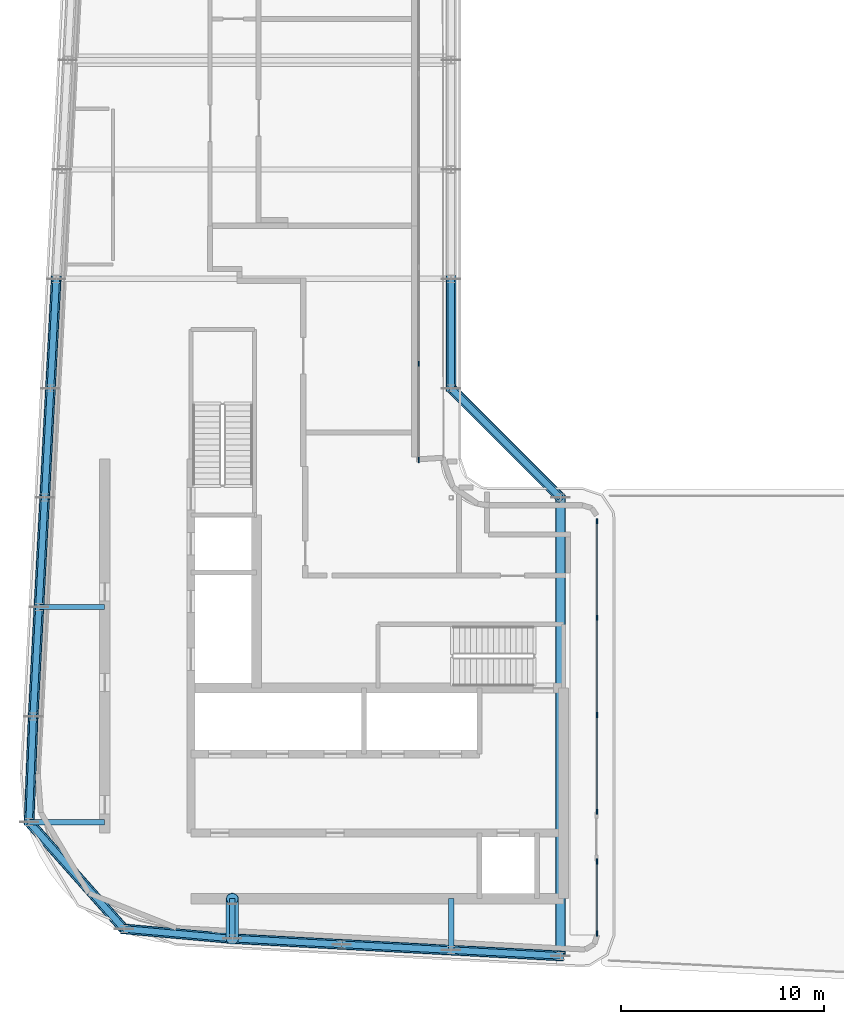
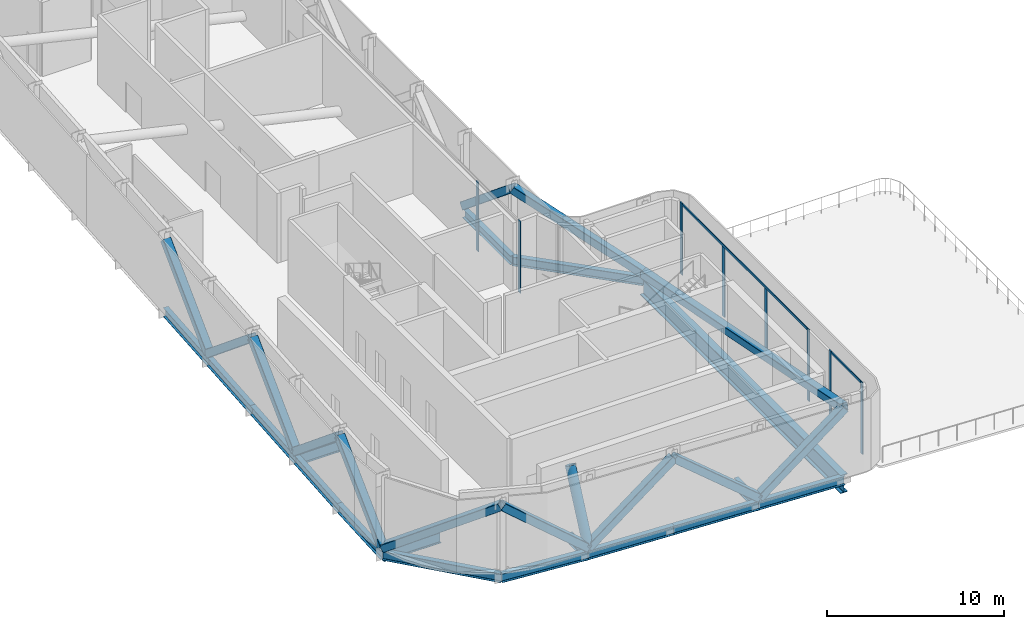
# One storey, part 4 of 18: 24 members, 17 beams, 3 elements without a shape of their own.
"""IFC4 building model written with IfcOpenShell, lengths in metres."""

from ifc_helpers import new_model, si_unit, direction, frame, origin, origin_2d, place, context, subcontext, project, spatial, rectangle, hollow_rectangle, hollow_circle, i_section, extrude, material, layer, layer_set, material_profile, profile_set, type_object, element, aggregate, save


model = new_model("IFC4")

# Units and contexts
model_context = context("Model", 3, precision=1e-05, world=origin(), true_north=direction((0.0, 1.0)))
body_context = subcontext(model_context, "Body", "Model", "MODEL_VIEW")
ifc_project = project(units=[si_unit("LENGTHUNIT", "METRE"), si_unit("AREAUNIT", "SQUARE_METRE"), si_unit("VOLUMEUNIT", "CUBIC_METRE"), si_unit("PLANEANGLEUNIT", "RADIAN"), si_unit("MASSUNIT", "GRAM", prefix="KILO")], contexts=[model_context])

# Site, building, storey
site_placement = place(None, origin())
site = spatial("IfcSite", under=ifc_project, at=site_placement, CompositionType="ELEMENT")
building_placement = place(site_placement, origin())
building = spatial("IfcBuilding", under=site, at=building_placement, Name="Kheshtan School and Residences Tower", CompositionType="ELEMENT")
storey_placement = place(building_placement, frame((0.0, 0.0, 333.199951171875)))
storey = spatial("IfcBuildingStorey", under=building, at=storey_placement, Name="L78", CompositionType="ELEMENT", Elevation=333.199951171875)

# Beams
ifc_material_1 = material(Name="Steel ASTM A992 Grade 50", Category="steel")
ifc_material_profile_1 = material_profile(ifc_material_1, i_section(OverallWidth=0.264892578125, OverallDepth=0.7529296875, WebThickness=0.01318359375, FlangeThickness=0.01708984375, FilletRadius=0.015380859375, at=origin_2d()), Name="W760x147")
ifc_profile_set_1 = profile_set([ifc_material_profile_1], Name="Steel ASTM A992 Grade 50")
beam_type_1 = type_object("IfcBeamType", Name="Beam FB7 W760x147 ASTM A992 Grade 50", PredefinedType="BEAM", material=ifc_profile_set_1)
beam_1_placement = place(storey_placement, frame((47.60009765625, 23.263916015625, -0.5263671875), z_axis=(0.0, 1.0, 0.0), x_axis=(-1.0, 0.0, 0.0)))
element("IfcBeam", 1, at=beam_1_placement, inside=storey, type_object=beam_type_1, Name="Floor beam C020", PredefinedType="BEAM", context=body_context, shape_type="SweptSolid", body=[
    extrude(i_section(OverallWidth=0.264892578125, OverallDepth=0.7529296875, WebThickness=0.01318359375, FlangeThickness=0.01708984375, FilletRadius=0.015380859375, at=origin_2d()), origin(), (0.0, 0.0, 1.0), 2.5361328125),
])
beam_2_placement = place(storey_placement, frame((36.800048828125, 23.83203125, -0.5263671875), z_axis=(0.0, 1.0, 0.0), x_axis=(-1.0, 0.0, 0.0)))
element("IfcBeam", 2, at=beam_2_placement, inside=storey, type_object=beam_type_1, Name="Floor beam C022", PredefinedType="BEAM", context=body_context, shape_type="SweptSolid", body=[
    extrude(i_section(OverallWidth=0.264892578125, OverallDepth=0.7529296875, WebThickness=0.01318359375, FlangeThickness=0.01708984375, FilletRadius=0.015380859375, at=origin_2d()), origin(), (0.0, 0.0, 1.0), 1.968017578125),
])
beam_3_placement = place(storey_placement, frame((26.76708984375, 29.58203125, -0.5263671875), z_axis=(1.0, 0.0, 0.0), x_axis=(0.0, 1.0, 0.0)))
element("IfcBeam", 3, at=beam_3_placement, inside=storey, type_object=beam_type_1, Name="Floor beam C048", PredefinedType="BEAM", context=body_context, shape_type="SweptSolid", body=[
    extrude(i_section(OverallWidth=0.264892578125, OverallDepth=0.7529296875, WebThickness=0.01318359375, FlangeThickness=0.01708984375, FilletRadius=0.015380859375, at=origin_2d()), origin(), (0.0, 0.0, 1.0), 3.73291015625),
])
beam_4_placement = place(storey_placement, frame((27.2529296875, 40.199951171875, -0.5263671875), z_axis=(1.0, 0.0, 0.0), x_axis=(0.0, 1.0, 0.0)))
element("IfcBeam", 4, at=beam_4_placement, inside=storey, type_object=beam_type_1, Name="Floor beam C056", PredefinedType="BEAM", context=body_context, shape_type="SweptSolid", body=[
    extrude(i_section(OverallWidth=0.264892578125, OverallDepth=0.7529296875, WebThickness=0.01318359375, FlangeThickness=0.01708984375, FilletRadius=0.015380859375, at=origin_2d()), origin(), (0.0, 0.0, 1.0), 3.2470703125),
])
ifc_material_profile_2 = material_profile(ifc_material_1, i_section(OverallWidth=0.324951171875, OverallDepth=0.615966796875, WebThickness=0.013916015625, FlangeThickness=0.021484375, FilletRadius=0.0185546875, at=origin_2d()), Name="W610x174")
ifc_profile_set_2 = profile_set([ifc_material_profile_2], Name="Steel ASTM A992 Grade 50")
beam_type_2 = type_object("IfcBeamType", Name="Beam SP5 W610x174 ASTM A992 Grade 50", PredefinedType="BEAM", material=ifc_profile_set_2)
beam_5_placement = place(storey_placement, frame((47.60009765625, 56.39990234375, -0.4580078125), z_axis=(0.0, -1.0, 0.0), x_axis=(1.0, 0.0, 0.0)))
element("IfcBeam", 5, at=beam_5_placement, inside=storey, type_object=beam_type_2, Name="Spandrel beam C081-C079", PredefinedType="BEAM", context=body_context, shape_type="SweptSolid", body=[
    extrude(i_section(OverallWidth=0.324951171875, OverallDepth=0.615966796875, WebThickness=0.013916015625, FlangeThickness=0.021484375, FilletRadius=0.0185546875, at=origin_2d()), origin(), (0.0, 0.0, 1.0), 5.39990234375),
])
beam_6_placement = place(storey_placement, frame((47.60009765625, 51.0, -0.4580078125), z_axis=(0.707106781187, -0.707106781187, 0.0), x_axis=(0.707106781187, 0.707106781187, 0.0)))
element("IfcBeam", 6, at=beam_6_placement, inside=storey, type_object=beam_type_2, Name="Spandrel beam C079-C061", PredefinedType="BEAM", context=body_context, shape_type="SweptSolid", body=[
    extrude(i_section(OverallWidth=0.324951171875, OverallDepth=0.615966796875, WebThickness=0.013916015625, FlangeThickness=0.021484375, FilletRadius=0.0185546875, at=origin_2d()), origin(), (0.0, 0.0, 1.0), 7.63671875),
])
beam_7_placement = place(storey_placement, frame((53.0, 22.97998046875, -0.4580078125), z_axis=(-0.998620447272, 0.05250906864, 0.0), x_axis=(-0.05250906864, -0.998620447272, 0.0)))
element("IfcBeam", 7, at=beam_7_placement, inside=storey, type_object=beam_type_2, Name="Spandrel beam C019-C020", PredefinedType="BEAM", context=body_context, shape_type="SweptSolid", body=[
    extrude(i_section(OverallWidth=0.324951171875, OverallDepth=0.615966796875, WebThickness=0.013916015625, FlangeThickness=0.021484375, FilletRadius=0.0185546875, at=origin_2d()), origin(), (0.0, 0.0, 1.0), 5.407470703125),
])
beam_8_placement = place(storey_placement, frame((47.60009765625, 23.263916015625, -0.4580078125), z_axis=(-0.998618203458, 0.052551724256, 0.0), x_axis=(-0.052551724256, -0.998618203458, 0.0)))
element("IfcBeam", 8, at=beam_8_placement, inside=storey, type_object=beam_type_2, Name="Spandrel beam C020-C021", PredefinedType="BEAM", context=body_context, shape_type="SweptSolid", body=[
    extrude(i_section(OverallWidth=0.324951171875, OverallDepth=0.615966796875, WebThickness=0.013916015625, FlangeThickness=0.021484375, FilletRadius=0.0185546875, at=origin_2d()), origin(), (0.0, 0.0, 1.0), 5.40771484375),
])
beam_9_placement = place(storey_placement, frame((42.199951171875, 23.548095703125, -0.4580078125), z_axis=(-0.998620447272, 0.05250906864, 0.0), x_axis=(-0.05250906864, -0.998620447272, 0.0)))
element("IfcBeam", 9, at=beam_9_placement, inside=storey, type_object=beam_type_2, Name="Spandrel beam C021-C022", PredefinedType="BEAM", context=body_context, shape_type="SweptSolid", body=[
    extrude(i_section(OverallWidth=0.324951171875, OverallDepth=0.615966796875, WebThickness=0.013916015625, FlangeThickness=0.021484375, FilletRadius=0.0185546875, at=origin_2d()), origin(), (0.0, 0.0, 1.0), 5.407470703125),
])
beam_10_placement = place(storey_placement, frame((36.800048828125, 23.83203125, -0.4580078125), z_axis=(-0.996036411806, 0.088946424077, 0.0), x_axis=(-0.088946424077, -0.996036411806, 0.0)))
element("IfcBeam", 10, at=beam_10_placement, inside=storey, type_object=beam_type_2, Name="Spandrel beam C022-C034", PredefinedType="BEAM", context=body_context, shape_type="SweptSolid", body=[
    extrude(i_section(OverallWidth=0.324951171875, OverallDepth=0.615966796875, WebThickness=0.013916015625, FlangeThickness=0.021484375, FilletRadius=0.0185546875, at=origin_2d()), origin(), (0.0, 0.0, 1.0), 5.374267578125),
])
beam_11_placement = place(storey_placement, frame((31.447021484375, 24.31005859375, -0.4580078125), z_axis=(-0.663867136248, 0.747850536812, 0.0), x_axis=(-0.747850536812, -0.663867136248, 0.0)))
element("IfcBeam", 11, at=beam_11_placement, inside=storey, type_object=beam_type_2, Name="Spandrel beam C034-C048", PredefinedType="BEAM", context=body_context, shape_type="SweptSolid", body=[
    extrude(i_section(OverallWidth=0.324951171875, OverallDepth=0.615966796875, WebThickness=0.013916015625, FlangeThickness=0.021484375, FilletRadius=0.0185546875, at=origin_2d()), origin(), (0.0, 0.0, 1.0), 7.049560546875),
])
beam_12_placement = place(storey_placement, frame((26.76708984375, 29.58203125, -0.4580078125), z_axis=(0.038664745323, 0.999252239161, 0.0), x_axis=(-0.999252239161, 0.038664745323, 0.0)))
element("IfcBeam", 12, at=beam_12_placement, inside=storey, type_object=beam_type_2, Name="Spandrel beam C048-C052", PredefinedType="BEAM", context=body_context, shape_type="SweptSolid", body=[
    extrude(i_section(OverallWidth=0.324951171875, OverallDepth=0.615966796875, WebThickness=0.013916015625, FlangeThickness=0.021484375, FilletRadius=0.0185546875, at=origin_2d()), origin(), (0.0, 0.0, 1.0), 5.221923828125),
])
beam_13_placement = place(storey_placement, frame((26.968994140625, 34.800048828125, -0.4580078125), z_axis=(0.05250906864, 0.998620447272, 0.0), x_axis=(-0.998620447272, 0.05250906864, 0.0)))
element("IfcBeam", 13, at=beam_13_placement, inside=storey, type_object=beam_type_2, Name="Spandrel beam C052-C056", PredefinedType="BEAM", context=body_context, shape_type="SweptSolid", body=[
    extrude(i_section(OverallWidth=0.324951171875, OverallDepth=0.615966796875, WebThickness=0.013916015625, FlangeThickness=0.021484375, FilletRadius=0.0185546875, at=origin_2d()), origin(), (0.0, 0.0, 1.0), 5.407470703125),
])
beam_14_placement = place(storey_placement, frame((27.2529296875, 40.199951171875, -0.4580078125), z_axis=(0.052551724256, 0.998618203458, 0.0), x_axis=(-0.998618203458, 0.052551724256, 0.0)))
element("IfcBeam", 14, at=beam_14_placement, inside=storey, type_object=beam_type_2, Name="Spandrel beam C056-C059", PredefinedType="BEAM", context=body_context, shape_type="SweptSolid", body=[
    extrude(i_section(OverallWidth=0.324951171875, OverallDepth=0.615966796875, WebThickness=0.013916015625, FlangeThickness=0.021484375, FilletRadius=0.0185546875, at=origin_2d()), origin(), (0.0, 0.0, 1.0), 5.40771484375),
])
for number, where, z_axis, x_axis, name in (
    (15, (27.537109375, 45.60009765625, -0.4580078125), (0.052689166816, 0.998610961136, 0.0), (-0.998610961136, 0.052689166816, 0.0), "Spandrel beam C059-C078"),
    (16, (27.822021484375, 51.0, -0.4580078125), (0.05250906864, 0.998620447272, 0.0), (-0.998620447272, 0.05250906864, 0.0), "Spandrel beam C078-C080"),
):
    element("IfcBeam", number, at=place(storey_placement, frame(where, z_axis=z_axis, x_axis=x_axis)), inside=storey, type_object=beam_type_2, Name=name, PredefinedType="BEAM", context=body_context, shape_type="SweptSolid", body=[
        extrude(i_section(OverallWidth=0.324951171875, OverallDepth=0.615966796875, WebThickness=0.013916015625, FlangeThickness=0.021484375, FilletRadius=0.0185546875, at=origin_2d()), origin(), (0.0, 0.0, 1.0), 5.407470703125),
    ])

# Curtain wall, members
ifc_material_2 = material(Name="Clear low-e glass in thermally broken aluminium frame", Category="aluminium")
ifc_layer = layer(ifc_material_2, 0.25)
ifc_layer_set = layer_set([ifc_layer], Name="Curtain wall CW-G")
curtain_wall_type = type_object("IfcCurtainWallType", Name="Curtain wall CW-G", PredefinedType="NOTDEFINED", material=ifc_layer_set)
curtain_wall_1_placement = place(storey_placement, origin())
curtain_wall_1 = element("IfcCurtainWall", 17, at=curtain_wall_1_placement, inside=storey, type_object=curtain_wall_type, Name="Curtain wall CWG3b", PredefinedType="NOTDEFINED")
ifc_material_3 = material(Name="Thermally broken aluminium, dark bronze anodised", Category="aluminium")
ifc_material_profile_3 = material_profile(ifc_material_3, rectangle(XDim=0.06005859375, YDim=0.25, at=origin_2d()), Name="CW-G mullion 60x250")
ifc_profile_set_3 = profile_set([ifc_material_profile_3], Name="Thermally broken aluminium, dark bronze anodised")
member_type_1 = type_object("IfcMemberType", Name="CW-G mullion 60x250", PredefinedType="MULLION", material=ifc_profile_set_3)
member_1_placement = place(storey_placement, frame((54.800048828125, 44.43994140625, 0.0), z_axis=(0.0, 0.0, 1.0), x_axis=(1.0, 0.0, 0.0)))
member_1 = element("IfcMember", 18, at=member_1_placement, type_object=member_type_1, Name="CWG3b mullion 1", PredefinedType="MULLION", context=body_context, shape_type="SweptSolid", body=[
    extrude(rectangle(XDim=0.06005859375, YDim=0.25, at=origin_2d()), origin(), (0.0, 0.0, 1.0), 4.949951171875),
])
member_2_placement = place(storey_placement, frame((54.800048828125, 39.669921875, 0.0), z_axis=(0.0, 0.0, 1.0), x_axis=(1.0, 0.0, 0.0)))
member_2 = element("IfcMember", 19, at=member_2_placement, type_object=member_type_1, Name="CWG3b mullion 2", PredefinedType="MULLION", context=body_context, shape_type="SweptSolid", body=[
    extrude(rectangle(XDim=0.06005859375, YDim=0.25, at=origin_2d()), origin(), (0.0, 0.0, 1.0), 4.7900390625),
])
member_3_placement = place(storey_placement, frame((54.800048828125, 34.8701171875, 0.0), z_axis=(0.0, 0.0, 1.0), x_axis=(1.0, 0.0, 0.0)))
member_3 = element("IfcMember", 20, at=member_3_placement, type_object=member_type_1, Name="CWG3b mullion 3", PredefinedType="MULLION", context=body_context, shape_type="SweptSolid", body=[
    extrude(rectangle(XDim=0.06005859375, YDim=0.25, at=origin_2d()), origin(), (0.0, 0.0, 1.0), 4.7900390625),
])
member_4_placement = place(storey_placement, frame((54.800048828125, 30.10009765625, 0.0), z_axis=(0.0, 0.0, 1.0), x_axis=(1.0, 0.0, 0.0)))
member_4 = element("IfcMember", 21, at=member_4_placement, type_object=member_type_1, Name="CWG3b mullion 4", PredefinedType="MULLION", context=body_context, shape_type="SweptSolid", body=[
    extrude(rectangle(XDim=0.06005859375, YDim=0.25, at=origin_2d()), origin(), (0.0, 0.0, 1.0), 4.949951171875),
])

curtain_wall_2_placement = place(storey_placement, origin())
curtain_wall_2 = element("IfcCurtainWall", 22, at=curtain_wall_2_placement, inside=storey, type_object=curtain_wall_type, Name="Curtain wall CWG3c", PredefinedType="NOTDEFINED")
member_5_placement = place(storey_placement, frame((54.800048828125, 27.639892578125, 0.0), z_axis=(0.0, 0.0, 1.0), x_axis=(1.0, 0.0, 0.0)))
member_5 = element("IfcMember", 23, at=member_5_placement, type_object=member_type_1, Name="CWG3c mullion 1", PredefinedType="MULLION", context=body_context, shape_type="SweptSolid", body=[
    extrude(rectangle(XDim=0.06005859375, YDim=0.25, at=origin_2d()), origin(), (0.0, 0.0, 1.0), 4.949951171875),
])
member_6_placement = place(storey_placement, frame((54.800048828125, 24.083984375, 0.0), z_axis=(0.0, 0.0, 1.0), x_axis=(1.0, 0.0, 0.0)))
member_6 = element("IfcMember", 24, at=member_6_placement, type_object=member_type_1, Name="CWG3c mullion 2", PredefinedType="MULLION", context=body_context, shape_type="SweptSolid", body=[
    extrude(rectangle(XDim=0.06005859375, YDim=0.25, at=origin_2d()), origin(), (0.0, 0.0, 1.0), 4.949951171875),
])

curtain_wall_3_placement = place(storey_placement, origin())
curtain_wall_3 = element("IfcCurtainWall", 25, at=curtain_wall_3_placement, inside=storey, type_object=curtain_wall_type, Name="Curtain wall CWG19a", PredefinedType="NOTDEFINED")
member_7_placement = place(storey_placement, frame((46.0, 52.2041015625, 0.0), z_axis=(0.0, 0.0, 1.0), x_axis=(1.0, 0.0, 0.0)))
member_7 = element("IfcMember", 26, at=member_7_placement, type_object=member_type_1, Name="CWG19a mullion 5", PredefinedType="MULLION", context=body_context, shape_type="SweptSolid", body=[
    extrude(rectangle(XDim=0.06005859375, YDim=0.25, at=origin_2d()), origin(), (0.0, 0.0, 1.0), 4.7900390625),
])
member_8_placement = place(storey_placement, frame((46.0, 47.4599609375, 0.0), z_axis=(0.0, 0.0, 1.0), x_axis=(1.0, 0.0, 0.0)))
member_8 = element("IfcMember", 27, at=member_8_placement, type_object=member_type_1, Name="CWG19a mullion 6", PredefinedType="MULLION", context=body_context, shape_type="SweptSolid", body=[
    extrude(rectangle(XDim=0.06005859375, YDim=0.25, at=origin_2d()), origin(), (0.0, 0.0, 1.0), 4.949951171875),
])
aggregate(curtain_wall_3, [member_7, member_8])

# Member
ifc_material_profile_4 = material_profile(ifc_material_3, rectangle(XDim=0.06005859375, YDim=0.159912109375, at=origin_2d()), Name="CW-G transom 60x160")
ifc_profile_set_4 = profile_set([ifc_material_profile_4], Name="Thermally broken aluminium, dark bronze anodised")
member_type_2 = type_object("IfcMemberType", Name="CW-G transom 60x160", PredefinedType="USERDEFINED", material=ifc_profile_set_4)
member_9_placement = place(storey_placement, frame((54.800048828125, 44.409912109375, 4.8701171875), z_axis=(0.0, -1.0, 0.0), x_axis=(1.0, 0.0, 0.0)))
member_9 = element("IfcMember", 28, at=member_9_placement, type_object=member_type_2, Name="CWG3b transom 1", ObjectType="TRANSOM", PredefinedType="USERDEFINED", context=body_context, shape_type="SweptSolid", body=[
    extrude(rectangle(XDim=0.06005859375, YDim=0.159912109375, at=origin_2d()), origin(), (0.0, 0.0, 1.0), 14.280029296875),
])

aggregate(curtain_wall_1, [member_1, member_2, member_3, member_4, member_9])

member_10_placement = place(storey_placement, frame((54.800048828125, 27.610107421875, 4.8701171875), z_axis=(0.0, -1.0, 0.0), x_axis=(1.0, 0.0, 0.0)))
member_10 = element("IfcMember", 29, at=member_10_placement, type_object=member_type_2, Name="CWG3c transom 1", ObjectType="TRANSOM", PredefinedType="USERDEFINED", context=body_context, shape_type="SweptSolid", body=[
    extrude(rectangle(XDim=0.06005859375, YDim=0.159912109375, at=origin_2d()), origin(), (0.0, 0.0, 1.0), 3.49609375),
])

aggregate(curtain_wall_2, [member_5, member_6, member_10])

# Members
ifc_material_4 = material(Name="Steel ASTM A500 Grade C", Category="steel")
ifc_material_profile_5 = material_profile(ifc_material_4, hollow_rectangle(XDim=0.508056640625, YDim=0.508056640625, WallThickness=0.01904296875, InnerFilletRadius=0.01904296875, OuterFilletRadius=0.0380859375, at=origin_2d()), Name="HSS 508x508x19")
ifc_profile_set_5 = profile_set([ifc_material_profile_5], Name="Steel ASTM A500 Grade C")
member_type_3 = type_object("IfcMemberType", Name="Member BT2 HSS 508x508x19 ASTM A500 Grade C", PredefinedType="BRACE", material=ifc_profile_set_5)
member_11_placement = place(storey_placement, frame((47.60009765625, 56.39990234375, 0.050048828125), z_axis=(0.0, -0.772201261501, 0.635378006966), x_axis=(1.0, 0.0, 0.0)))
element("IfcMember", 30, at=member_11_placement, inside=storey, type_object=member_type_3, Name="Belt truss diagonal C081-C079", PredefinedType="BRACE", context=body_context, shape_type="SweptSolid", body=[
    extrude(hollow_rectangle(XDim=0.508056640625, YDim=0.508056640625, WallThickness=0.01904296875, InnerFilletRadius=0.01904296875, OuterFilletRadius=0.0380859375, at=origin_2d()), origin(), (0.0, 0.0, 1.0), 6.992919921875),
])
member_12_placement = place(storey_placement, frame((53.0, 45.60009765625, 0.050048828125), z_axis=(-0.611186789925, 0.611186789925, 0.502893045928), x_axis=(-0.707106781187, -0.707106781187, 0.0)))
element("IfcMember", 31, at=member_12_placement, inside=storey, type_object=member_type_3, Name="Belt truss diagonal C079-C061", PredefinedType="BRACE", context=body_context, shape_type="SweptSolid", body=[
    extrude(hollow_rectangle(XDim=0.508056640625, YDim=0.508056640625, WallThickness=0.01904296875, InnerFilletRadius=0.01904296875, OuterFilletRadius=0.0380859375, at=origin_2d()), origin(), (0.0, 0.0, 1.0), 8.835205078125),
])
member_13_placement = place(storey_placement, frame((53.0, 45.60009765625, 0.050048828125), z_axis=(0.0, -0.981249822024, 0.192740205403), x_axis=(1.0, 0.0, 0.0)))
element("IfcMember", 32, at=member_13_placement, inside=storey, type_object=member_type_3, Name="Belt truss diagonal C061-C019", PredefinedType="BRACE", context=body_context, shape_type="SweptSolid", body=[
    extrude(hollow_rectangle(XDim=0.508056640625, YDim=0.508056640625, WallThickness=0.01904296875, InnerFilletRadius=0.01904296875, OuterFilletRadius=0.0380859375, at=origin_2d()), origin(), (0.0, 0.0, 1.0), 23.05224609375),
])
member_14_placement = place(storey_placement, frame((47.60009765625, 23.263916015625, 0.050048828125), z_axis=(0.771565502304, -0.040570154588, 0.634854895399), x_axis=(0.05250906864, 0.998620447272, 0.0)))
element("IfcMember", 33, at=member_14_placement, inside=storey, type_object=member_type_3, Name="Belt truss diagonal C019-C020", PredefinedType="BRACE", context=body_context, shape_type="SweptSolid", body=[
    extrude(hollow_rectangle(XDim=0.508056640625, YDim=0.508056640625, WallThickness=0.01904296875, InnerFilletRadius=0.01904296875, OuterFilletRadius=0.0380859375, at=origin_2d()), origin(), (0.0, 0.0, 1.0), 6.99853515625),
])
member_15_placement = place(storey_placement, frame((47.60009765625, 23.263916015625, 0.050048828125), z_axis=(-0.771578526458, 0.040603888277, 0.63483690958), x_axis=(-0.052551724256, -0.998618203458, 0.0)))
element("IfcMember", 34, at=member_15_placement, inside=storey, type_object=member_type_3, Name="Belt truss diagonal C020-C021", PredefinedType="BRACE", context=body_context, shape_type="SweptSolid", body=[
    extrude(hollow_rectangle(XDim=0.508056640625, YDim=0.508056640625, WallThickness=0.01904296875, InnerFilletRadius=0.01904296875, OuterFilletRadius=0.0380859375, at=origin_2d()), origin(), (0.0, 0.0, 1.0), 6.998779296875),
])
member_16_placement = place(storey_placement, frame((36.800048828125, 23.83203125, 0.050048828125), z_axis=(0.771565502304, -0.040570154588, 0.634854895399), x_axis=(0.05250906864, 0.998620447272, 0.0)))
element("IfcMember", 35, at=member_16_placement, inside=storey, type_object=member_type_3, Name="Belt truss diagonal C021-C022", PredefinedType="BRACE", context=body_context, shape_type="SweptSolid", body=[
    extrude(hollow_rectangle(XDim=0.508056640625, YDim=0.508056640625, WallThickness=0.01904296875, InnerFilletRadius=0.01904296875, OuterFilletRadius=0.0380859375, at=origin_2d()), origin(), (0.0, 0.0, 1.0), 6.99853515625),
])
member_17_placement = place(storey_placement, frame((36.800048828125, 23.83203125, 0.050048828125), z_axis=(-0.767663800815, 0.068552664508, 0.637175659538), x_axis=(-0.088946424077, -0.996036411806, 0.0)))
element("IfcMember", 36, at=member_17_placement, inside=storey, type_object=member_type_3, Name="Belt truss diagonal C022-C034", PredefinedType="BRACE", context=body_context, shape_type="SweptSolid", body=[
    extrude(hollow_rectangle(XDim=0.508056640625, YDim=0.508056640625, WallThickness=0.01904296875, InnerFilletRadius=0.01904296875, OuterFilletRadius=0.0380859375, at=origin_2d()), origin(), (0.0, 0.0, 1.0), 6.97314453125),
])
member_18_placement = place(storey_placement, frame((26.76708984375, 29.58203125, 0.050048828125), z_axis=(0.56162299724, -0.632671866159, 0.533203449672), x_axis=(0.747850536812, 0.663867136248, 0.0)))
element("IfcMember", 37, at=member_18_placement, inside=storey, type_object=member_type_3, Name="Belt truss diagonal C034-C048", PredefinedType="BRACE", context=body_context, shape_type="SweptSolid", body=[
    extrude(hollow_rectangle(XDim=0.508056640625, YDim=0.508056640625, WallThickness=0.01904296875, InnerFilletRadius=0.01904296875, OuterFilletRadius=0.0380859375, at=origin_2d()), origin(), (0.0, 0.0, 1.0), 8.332763671875),
])
member_19_placement = place(storey_placement, frame((26.76708984375, 29.58203125, 0.050048828125), z_axis=(0.029447715611, 0.761047189547, 0.648027782837), x_axis=(-0.999252239161, 0.038664745323, 0.0)))
element("IfcMember", 38, at=member_19_placement, inside=storey, type_object=member_type_3, Name="Belt truss diagonal C048-C052", PredefinedType="BRACE", context=body_context, shape_type="SweptSolid", body=[
    extrude(hollow_rectangle(XDim=0.508056640625, YDim=0.508056640625, WallThickness=0.01904296875, InnerFilletRadius=0.01904296875, OuterFilletRadius=0.0380859375, at=origin_2d()), origin(), (0.0, 0.0, 1.0), 6.8564453125),
])
member_20_placement = place(storey_placement, frame((27.2529296875, 40.199951171875, 0.050048828125), z_axis=(-0.040570154588, -0.771565502304, 0.634854895399), x_axis=(0.998620447272, -0.05250906864, 0.0)))
element("IfcMember", 39, at=member_20_placement, inside=storey, type_object=member_type_3, Name="Belt truss diagonal C052-C056", PredefinedType="BRACE", context=body_context, shape_type="SweptSolid", body=[
    extrude(hollow_rectangle(XDim=0.508056640625, YDim=0.508056640625, WallThickness=0.01904296875, InnerFilletRadius=0.01904296875, OuterFilletRadius=0.0380859375, at=origin_2d()), origin(), (0.0, 0.0, 1.0), 6.99853515625),
])
for number, where, z_axis, x_axis, name in (
    (40, (27.2529296875, 40.199951171875, 0.050048828125), (0.040603888277, 0.771578526458, 0.63483690958), (-0.998618203458, 0.052551724256, 0.0), "Belt truss diagonal C056-C059"),
    (41, (27.822021484375, 51.0, 0.050048828125), (-0.040709459951, -0.771561126993, 0.634851295331), (0.998610961136, -0.052689166816, 0.0), "Belt truss diagonal C059-C078"),
):
    element("IfcMember", number, at=place(storey_placement, frame(where, z_axis=z_axis, x_axis=x_axis)), inside=storey, type_object=member_type_3, Name=name, PredefinedType="BRACE", context=body_context, shape_type="SweptSolid", body=[
        extrude(hollow_rectangle(XDim=0.508056640625, YDim=0.508056640625, WallThickness=0.01904296875, InnerFilletRadius=0.01904296875, OuterFilletRadius=0.0380859375, at=origin_2d()), origin(), (0.0, 0.0, 1.0), 6.998779296875),
    ])
member_21_placement = place(storey_placement, frame((27.822021484375, 51.0, 0.050048828125), z_axis=(0.040570154588, 0.771565502304, 0.634854895399), x_axis=(-0.998620447272, 0.05250906864, 0.0)))
element("IfcMember", 42, at=member_21_placement, inside=storey, type_object=member_type_3, Name="Belt truss diagonal C078-C080", PredefinedType="BRACE", context=body_context, shape_type="SweptSolid", body=[
    extrude(hollow_rectangle(XDim=0.508056640625, YDim=0.508056640625, WallThickness=0.01904296875, InnerFilletRadius=0.01904296875, OuterFilletRadius=0.0380859375, at=origin_2d()), origin(), (0.0, 0.0, 1.0), 6.99853515625),
])
ifc_material_profile_6 = material_profile(ifc_material_4, hollow_circle(Radius=0.3046875, WallThickness=0.01904296875, at=origin_2d()), Name="HSS 610x19")
ifc_profile_set_6 = profile_set([ifc_material_profile_6], Name="Steel ASTM A500 Grade C")
member_type_4 = type_object("IfcMemberType", Name="Member OR1 HSS 610x19 ASTM A500 Grade C", PredefinedType="BRACE", material=ifc_profile_set_6)
member_22_placement = place(storey_placement, frame((36.800048828125, 23.83203125, 0.199951171875), z_axis=(0.0, 0.416706329778, 0.909041162282), x_axis=(-1.0, 0.0, 0.0)))
element("IfcMember", 43, at=member_22_placement, inside=storey, type_object=member_type_4, Name="Outrigger arm 2", PredefinedType="BRACE", context=body_context, shape_type="SweptSolid", body=[
    extrude(hollow_circle(Radius=0.3046875, WallThickness=0.01904296875, at=origin_2d()), origin(), (0.0, 0.0, 1.0), 4.722900390625),
])

# Beam
ifc_material_profile_7 = material_profile(ifc_material_1, i_section(OverallWidth=0.449951171875, OverallDepth=1.25, WebThickness=0.02490234375, FlangeThickness=0.044921875, FilletRadius=0.03759765625, at=origin_2d()), Name="WWF1250x546")
ifc_profile_set_7 = profile_set([ifc_material_profile_7], Name="Steel ASTM A992 Grade 50")
beam_type_3 = type_object("IfcBeamType", Name="Transfer girder TG4 WWF1250x546 ASTM A992 Grade 50", PredefinedType="BEAM", material=ifc_profile_set_7)
beam_15_placement = place(storey_placement, frame((53.0, 45.60009765625, -0.77490234375), z_axis=(0.0, -1.0, 0.0), x_axis=(1.0, 0.0, 0.0)))
element("IfcBeam", 44, at=beam_15_placement, inside=storey, type_object=beam_type_3, Name="Transfer girder C061-C019", PredefinedType="BEAM", context=body_context, shape_type="SweptSolid", body=[
    extrude(i_section(OverallWidth=0.449951171875, OverallDepth=1.25, WebThickness=0.02490234375, FlangeThickness=0.044921875, FilletRadius=0.03759765625, at=origin_2d()), origin(), (0.0, 0.0, 1.0), 22.6201171875),
])

save(model, "model.ifc")
